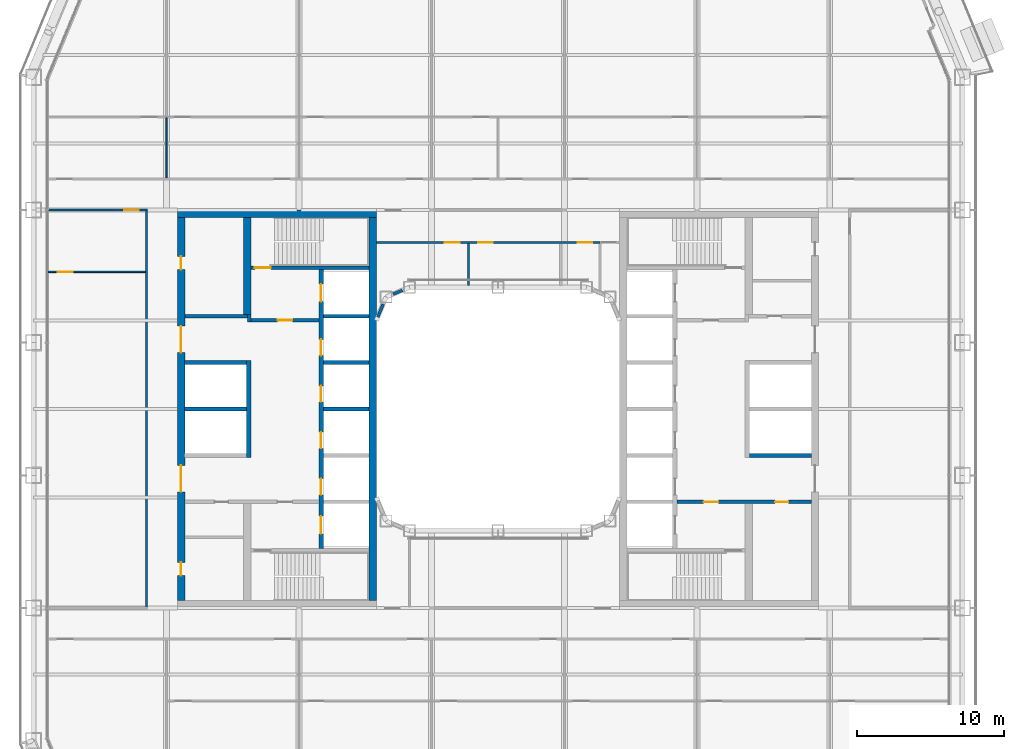
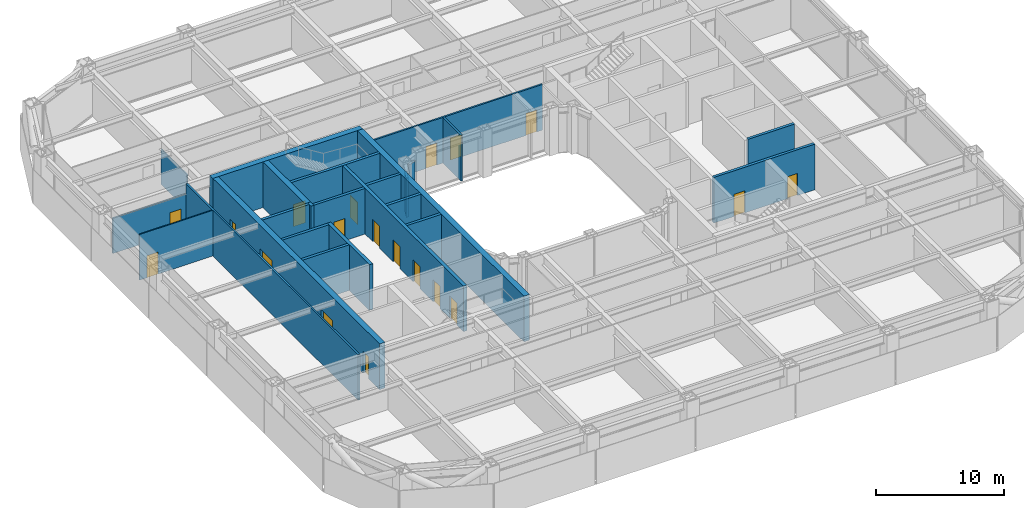
# One storey, part 14 of 30: 25 walls, 19 doors, 19 openings.
"""IFC4 building model written with IfcOpenShell, lengths in metres."""

from ifc_helpers import new_model, si_unit, direction, frame, frame_2d, origin, place, context, subcontext, project, spatial, rectangle, extrude, material, layer, layer_set, type_object, element, fill, save


model = new_model("IFC4")

# Units and contexts
model_context = context("Model", 3, precision=1e-05, world=origin(), true_north=direction((0.0, 1.0)))
body_context = subcontext(model_context, "Body", "Model", "MODEL_VIEW")
ifc_project = project(units=[si_unit("LENGTHUNIT", "METRE"), si_unit("AREAUNIT", "SQUARE_METRE"), si_unit("VOLUMEUNIT", "CUBIC_METRE"), si_unit("PLANEANGLEUNIT", "RADIAN"), si_unit("MASSUNIT", "GRAM", prefix="KILO")], contexts=[model_context])

# Site, building, storey
site_placement = place(None, origin())
site = spatial("IfcSite", under=ifc_project, at=site_placement, CompositionType="ELEMENT")
building_placement = place(site_placement, origin())
building = spatial("IfcBuilding", under=site, at=building_placement, Name="Siwar Civic Tower", CompositionType="ELEMENT")
storey_placement = place(building_placement, frame((0.0, 0.0, 26.699951171875)))
storey = spatial("IfcBuildingStorey", under=building, at=storey_placement, Name="L05", CompositionType="ELEMENT", Elevation=26.699951171875)

# Wall, opening, door
ifc_material_1 = material(Name="Concrete C60/75", Category="concrete")
ifc_layer_1 = layer(ifc_material_1, 0.25)
ifc_layer_set_1 = layer_set([ifc_layer_1], Name="Concrete C60/75")
wall_type_1 = type_object("IfcWallType", Name="CORE-WALL-RC250", PredefinedType="SHEAR", material=ifc_layer_set_1)
wall_1_placement = place(storey_placement, frame((-12.14990234375, 6.02490234375, 0.0), z_axis=(0.0, 0.0, 1.0), x_axis=(-1.0, 0.0, 0.0)))
wall_1 = element("IfcWall", 1, at=wall_1_placement, inside=storey, type_object=wall_type_1, Name="Core wall W", PredefinedType="SHEAR", context=body_context, shape_type="SweptSolid", body=[
    extrude(rectangle(XDim=4.60009765625, YDim=0.25, at=frame_2d((2.300048828125, 0.0))), origin(), (0.0, 0.0, 1.0), 4.35009765625),
])
opening_1_placement = place(wall_1_placement, frame((1.800048828125, 0.0, 0.0)))
opening_1 = element("IfcOpeningElement", 2, at=opening_1_placement, cuts=wall_1, Name="Opening L05-CW01", PredefinedType="OPENING", context=body_context, shape_type="SweptSolid", body=[
    extrude(rectangle(XDim=1.0, YDim=2.10009765625, at=frame_2d((0.5, 1.050048828125))), frame((0.0, 0.135009765625, 0.0), z_axis=(0.0, -1.0, 0.0), x_axis=(1.0, 0.0, 0.0)), (0.0, 0.0, 1.0), 0.27001953125),
])
ifc_material_2 = material(Name="Steel door leaf", Category="steel")
door_type_1 = type_object("IfcDoorType", Name="CORE-DOOR-FD30S", OperationType="SINGLE_SWING_LEFT", PredefinedType="DOOR", material=ifc_material_2)
door_1_placement = place(opening_1_placement, origin())
door_1 = element("IfcDoor", 3, at=door_1_placement, inside=storey, type_object=door_type_1, Name="Firefighting lobby door L05-CW01", OperationType="SINGLE_SWING_LEFT", OverallHeight=2.10009765625, OverallWidth=1.0, PredefinedType="DOOR", context=body_context, shape_type="SweptSolid", body=[
    extrude(rectangle(XDim=1.0, YDim=2.10009765625, at=frame_2d((0.5, 1.050048828125))), frame((0.0, 0.02490234375, 0.0), z_axis=(0.0, -1.0, 0.0), x_axis=(1.0, 0.0, 0.0)), (0.0, 0.0, 1.0), 0.050048828125),
])
fill(opening_1, door_1)

# Walls
wall_2_placement = place(storey_placement, frame((-16.875, 5.89990234375, 0.0), z_axis=(0.0, 0.0, 1.0), x_axis=(0.0, 1.0, 0.0)))
element("IfcWall", 4, at=wall_2_placement, inside=storey, type_object=wall_type_1, Name="Core wall W", PredefinedType="SHEAR", context=body_context, shape_type="SweptSolid", body=[
    extrude(rectangle(XDim=0.525146484375, YDim=0.25, at=frame_2d((0.2626953125, 0.0))), origin(), (0.0, 0.0, 1.0), 4.35009765625),
])
wall_3_placement = place(storey_placement, frame((-17.0, 6.300048828125, 0.0), z_axis=(0.0, 0.0, 1.0), x_axis=(-1.0, 0.0, 0.0)))
element("IfcWall", 5, at=wall_3_placement, inside=storey, type_object=wall_type_1, Name="Core wall W", PredefinedType="SHEAR", context=body_context, shape_type="SweptSolid", body=[
    extrude(rectangle(XDim=4.25, YDim=0.25, at=frame_2d((2.125, 0.0))), origin(), (0.0, 0.0, 1.0), 4.35009765625),
])
for number, where, z_axis, x_axis, name in (
    (6, (-17.050048828125, 0.0, 0.0), (0.0, 0.0, 1.0), (-1.0, 0.0, 0.0), "Core wall W"),
    (7, (-17.050048828125, 3.14990234375, 0.0), (0.0, 0.0, 1.0), (-1.0, 0.0, 0.0), "Core wall W"),
):
    element("IfcWall", number, at=place(storey_placement, frame(where, z_axis=z_axis, x_axis=x_axis)), inside=storey, type_object=wall_type_1, Name=name, PredefinedType="SHEAR", context=body_context, shape_type="SweptSolid", body=[
        extrude(rectangle(XDim=4.199951171875, YDim=0.25, at=frame_2d((2.10009765625, 0.0))), origin(), (0.0, 0.0, 1.0), 4.35009765625),
    ])
for number, where, z_axis, x_axis, name in (
    (8, (-8.75, 0.0, 0.0), (0.0, 0.0, 1.0), (-1.0, 0.0, 0.0), "Core wall W"),
    (9, (-8.75, 3.14990234375, 0.0), (0.0, 0.0, 1.0), (-1.0, 0.0, 0.0), "Core wall W"),
    (10, (-8.75, 6.300048828125, 0.0), (0.0, 0.0, 1.0), (-1.0, 0.0, 0.0), "Core wall W"),
):
    element("IfcWall", number, at=place(storey_placement, frame(where, z_axis=z_axis, x_axis=x_axis)), inside=storey, type_object=wall_type_1, Name=name, PredefinedType="SHEAR", context=body_context, shape_type="SweptSolid", body=[
        extrude(rectangle(XDim=3.10009765625, YDim=0.25, at=frame_2d((1.550048828125, 0.0))), origin(), (0.0, 0.0, 1.0), 4.35009765625),
    ])

# Wall, opening, door
wall_4_placement = place(storey_placement, frame((-8.75, 9.574951171875, 0.0), z_axis=(0.0, 0.0, 1.0), x_axis=(-1.0, 0.0, 0.0)))
wall_4 = element("IfcWall", 11, at=wall_4_placement, inside=storey, type_object=wall_type_1, Name="Core wall W", PredefinedType="SHEAR", context=body_context, shape_type="SweptSolid", body=[
    extrude(rectangle(XDim=8.0, YDim=0.25, at=frame_2d((4.0, 0.0))), origin(), (0.0, 0.0, 1.0), 4.35009765625),
])
opening_2_placement = place(wall_4_placement, frame((6.64990234375, 0.0, 0.0)))
opening_2 = element("IfcOpeningElement", 12, at=opening_2_placement, cuts=wall_4, Name="Opening L05-CW03", PredefinedType="OPENING", context=body_context, shape_type="SweptSolid", body=[
    extrude(rectangle(XDim=1.10009765625, YDim=2.10009765625, at=frame_2d((0.550048828125, 1.050048828125))), frame((0.0, 0.135009765625, 0.0), z_axis=(0.0, -1.0, 0.0), x_axis=(1.0, 0.0, 0.0)), (0.0, 0.0, 1.0), 0.27001953125),
])
ifc_material_3 = material(Name="Steel door leaf", Category="steel")
door_type_2 = type_object("IfcDoorType", Name="CORE-DOOR-FD60S", OperationType="SINGLE_SWING_LEFT", PredefinedType="DOOR", material=ifc_material_3)
door_2_placement = place(opening_2_placement, origin())
door_2 = element("IfcDoor", 13, at=door_2_placement, inside=storey, type_object=door_type_2, Name="Stair door L05-CW03", OperationType="SINGLE_SWING_RIGHT", OverallHeight=2.10009765625, OverallWidth=1.10009765625, PredefinedType="DOOR", context=body_context, shape_type="SweptSolid", body=[
    extrude(rectangle(XDim=1.10009765625, YDim=2.10009765625, at=frame_2d((0.550048828125, 1.050048828125))), frame((0.0, 0.02490234375, 0.0), z_axis=(0.0, -1.0, 0.0), x_axis=(1.0, 0.0, 0.0)), (0.0, 0.0, 1.0), 0.050048828125),
])
fill(opening_2, door_2)

# Wall, openings, doors
wall_5_placement = place(storey_placement, frame((12.14990234375, -6.300048828125, 0.0), z_axis=(0.0, 0.0, 1.0), x_axis=(1.0, 0.0, 0.0)))
wall_5 = element("IfcWall", 14, at=wall_5_placement, inside=storey, type_object=wall_type_1, Name="Core wall E", PredefinedType="SHEAR", context=body_context, shape_type="SweptSolid", body=[
    extrude(rectangle(XDim=9.10009765625, YDim=0.25, at=frame_2d((4.550048828125, 0.0))), origin(), (0.0, 0.0, 1.0), 4.35009765625),
])
opening_3_placement = place(wall_5_placement, frame((1.800048828125, 0.0, 0.0)))
opening_3 = element("IfcOpeningElement", 15, at=opening_3_placement, cuts=wall_5, Name="Opening L05-CE02", PredefinedType="OPENING", context=body_context, shape_type="SweptSolid", body=[
    extrude(rectangle(XDim=1.0, YDim=2.10009765625, at=frame_2d((0.5, 1.050048828125))), frame((0.0, 0.135009765625, 0.0), z_axis=(0.0, -1.0, 0.0), x_axis=(1.0, 0.0, 0.0)), (0.0, 0.0, 1.0), 0.27001953125),
])
opening_4_placement = place(wall_5_placement, frame((6.64990234375, 0.0, 0.0)))
opening_4 = element("IfcOpeningElement", 16, at=opening_4_placement, cuts=wall_5, Name="Opening L05-CE15", PredefinedType="OPENING", context=body_context, shape_type="SweptSolid", body=[
    extrude(rectangle(XDim=0.89990234375, YDim=2.10009765625, at=frame_2d((0.449951171875, 1.050048828125))), frame((0.0, 0.135009765625, 0.0), z_axis=(0.0, -1.0, 0.0), x_axis=(1.0, 0.0, 0.0)), (0.0, 0.0, 1.0), 0.27001953125),
])
door_3_placement = place(opening_3_placement, origin())
door_3 = element("IfcDoor", 17, at=door_3_placement, inside=storey, type_object=door_type_1, Name="Service lobby door L05-CE02", OperationType="SINGLE_SWING_LEFT", OverallHeight=2.10009765625, OverallWidth=1.0, PredefinedType="DOOR", context=body_context, shape_type="SweptSolid", body=[
    extrude(rectangle(XDim=1.0, YDim=2.10009765625, at=frame_2d((0.5, 1.050048828125))), frame((0.0, 0.02490234375, 0.0), z_axis=(0.0, -1.0, 0.0), x_axis=(1.0, 0.0, 0.0)), (0.0, 0.0, 1.0), 0.050048828125),
])
fill(opening_3, door_3)
ifc_material_4 = material(Name="Steel door leaf", Category="steel")
door_type_3 = type_object("IfcDoorType", Name="CORE-DOOR-ROOM", OperationType="SINGLE_SWING_LEFT", PredefinedType="DOOR", material=ifc_material_4)
door_4_placement = place(opening_4_placement, origin())
door_4 = element("IfcDoor", 18, at=door_4_placement, inside=storey, type_object=door_type_3, Name="Core room door L05-CE15", OperationType="SINGLE_SWING_LEFT", OverallHeight=2.10009765625, OverallWidth=0.89990234375, PredefinedType="DOOR", context=body_context, shape_type="SweptSolid", body=[
    extrude(rectangle(XDim=0.89990234375, YDim=2.10009765625, at=frame_2d((0.449951171875, 1.050048828125))), frame((0.0, 0.02490234375, 0.0), z_axis=(0.0, -1.0, 0.0), x_axis=(1.0, 0.0, 0.0)), (0.0, 0.0, 1.0), 0.050048828125),
])
fill(opening_4, door_4)

# Wall
wall_6_placement = place(storey_placement, frame((17.050048828125, -3.14990234375, 0.0), z_axis=(0.0, 0.0, 1.0), x_axis=(1.0, 0.0, 0.0)))
element("IfcWall", 19, at=wall_6_placement, inside=storey, type_object=wall_type_1, Name="Core wall E", PredefinedType="SHEAR", context=body_context, shape_type="SweptSolid", body=[
    extrude(rectangle(XDim=4.199951171875, YDim=0.25, at=frame_2d((2.10009765625, 0.0))), origin(), (0.0, 0.0, 1.0), 4.35009765625),
])

# Wall, openings, doors
ifc_material_5 = material(Name="Concrete C60/75", Category="concrete")
ifc_layer_2 = layer(ifc_material_5, 0.300048828125)
ifc_layer_set_2 = layer_set([ifc_layer_2], Name="Concrete C60/75")
wall_type_2 = type_object("IfcWallType", Name="CORE-WALL-RC300", PredefinedType="SHEAR", material=ifc_layer_set_2)
wall_7_placement = place(storey_placement, frame((-12.0, -9.449951171875, 0.0), z_axis=(0.0, 0.0, 1.0), x_axis=(0.0, 1.0, 0.0)))
wall_7 = element("IfcWall", 20, at=wall_7_placement, inside=storey, type_object=wall_type_2, Name="Core wall W", PredefinedType="SHEAR", context=body_context, shape_type="SweptSolid", body=[
    extrude(rectangle(XDim=18.89990234375, YDim=0.300048828125, at=frame_2d((9.449951171875, 0.0))), origin(), (0.0, 0.0, 1.0), 4.35009765625),
])
opening_5_placement = place(wall_7_placement, frame((3.625, 0.0, 0.0)))
opening_5 = element("IfcOpeningElement", 21, at=opening_5_placement, cuts=wall_7, Name="Opening L05-CW07", PredefinedType="OPENING", context=body_context, shape_type="SweptSolid", body=[
    extrude(rectangle(XDim=1.10009765625, YDim=2.10009765625, at=frame_2d((0.550048828125, 1.050048828125))), frame((0.0, 0.16015625, 0.0), z_axis=(0.0, -1.0, 0.0), x_axis=(1.0, 0.0, 0.0)), (0.0, 0.0, 1.0), 0.320068359375),
])
opening_6_placement = place(wall_7_placement, frame((6.77490234375, 0.0, 0.0)))
opening_6 = element("IfcOpeningElement", 22, at=opening_6_placement, cuts=wall_7, Name="Opening L05-CW08", PredefinedType="OPENING", context=body_context, shape_type="SweptSolid", body=[
    extrude(rectangle(XDim=1.10009765625, YDim=2.10009765625, at=frame_2d((0.550048828125, 1.050048828125))), frame((0.0, 0.16015625, 0.0), z_axis=(0.0, -1.0, 0.0), x_axis=(1.0, 0.0, 0.0)), (0.0, 0.0, 1.0), 0.320068359375),
])
opening_7_placement = place(wall_7_placement, frame((9.925048828125, 0.0, 0.0)))
opening_7 = element("IfcOpeningElement", 23, at=opening_7_placement, cuts=wall_7, Name="Opening L05-CW09", PredefinedType="OPENING", context=body_context, shape_type="SweptSolid", body=[
    extrude(rectangle(XDim=1.10009765625, YDim=2.10009765625, at=frame_2d((0.550048828125, 1.050048828125))), frame((0.0, 0.16015625, 0.0), z_axis=(0.0, -1.0, 0.0), x_axis=(1.0, 0.0, 0.0)), (0.0, 0.0, 1.0), 0.320068359375),
])
opening_8_placement = place(wall_7_placement, frame((13.074951171875, 0.0, 0.0)))
opening_8 = element("IfcOpeningElement", 24, at=opening_8_placement, cuts=wall_7, Name="Opening L05-CW10", PredefinedType="OPENING", context=body_context, shape_type="SweptSolid", body=[
    extrude(rectangle(XDim=1.10009765625, YDim=2.10009765625, at=frame_2d((0.550048828125, 1.050048828125))), frame((0.0, 0.16015625, 0.0), z_axis=(0.0, -1.0, 0.0), x_axis=(1.0, 0.0, 0.0)), (0.0, 0.0, 1.0), 0.320068359375),
])
opening_9_placement = place(wall_7_placement, frame((16.72509765625, 0.0, 0.0)))
opening_9 = element("IfcOpeningElement", 25, at=opening_9_placement, cuts=wall_7, Name="Opening L05-CW11", PredefinedType="OPENING", context=body_context, shape_type="SweptSolid", body=[
    extrude(rectangle(XDim=1.199951171875, YDim=2.10009765625, at=frame_2d((0.60009765625, 1.050048828125))), frame((0.0, 0.16015625, 0.0), z_axis=(0.0, -1.0, 0.0), x_axis=(1.0, 0.0, 0.0)), (0.0, 0.0, 1.0), 0.320068359375),
])
opening_10_placement = place(wall_7_placement, frame((0.97509765625, 0.0, 0.0)))
opening_10 = element("IfcOpeningElement", 26, at=opening_10_placement, cuts=wall_7, Name="Opening L05-CW12", PredefinedType="OPENING", context=body_context, shape_type="SweptSolid", body=[
    extrude(rectangle(XDim=1.199951171875, YDim=2.10009765625, at=frame_2d((0.60009765625, 1.050048828125))), frame((0.0, 0.16015625, 0.0), z_axis=(0.0, -1.0, 0.0), x_axis=(1.0, 0.0, 0.0)), (0.0, 0.0, 1.0), 0.320068359375),
])
ifc_material_6 = material(Name="Steel door leaf", Category="steel")
door_type_4 = type_object("IfcDoorType", Name="CORE-DOOR-LD", OperationType="DOUBLE_DOOR_SLIDING", PredefinedType="DOOR", material=ifc_material_6)
door_5_placement = place(opening_5_placement, origin())
door_5 = element("IfcDoor", 27, at=door_5_placement, inside=storey, type_object=door_type_4, Name="Landing door LR1 L05-CW07", OperationType="DOUBLE_DOOR_SLIDING", OverallHeight=2.10009765625, OverallWidth=1.10009765625, PredefinedType="DOOR", context=body_context, shape_type="SweptSolid", body=[
    extrude(rectangle(XDim=1.10009765625, YDim=2.10009765625, at=frame_2d((0.550048828125, 1.050048828125))), frame((0.0, 0.02490234375, 0.0), z_axis=(0.0, -1.0, 0.0), x_axis=(1.0, 0.0, 0.0)), (0.0, 0.0, 1.0), 0.050048828125),
])
fill(opening_5, door_5)
door_6_placement = place(opening_6_placement, origin())
door_6 = element("IfcDoor", 28, at=door_6_placement, inside=storey, type_object=door_type_4, Name="Landing door LR2 L05-CW08", OperationType="DOUBLE_DOOR_SLIDING", OverallHeight=2.10009765625, OverallWidth=1.10009765625, PredefinedType="DOOR", context=body_context, shape_type="SweptSolid", body=[
    extrude(rectangle(XDim=1.10009765625, YDim=2.10009765625, at=frame_2d((0.550048828125, 1.050048828125))), frame((0.0, 0.02490234375, 0.0), z_axis=(0.0, -1.0, 0.0), x_axis=(1.0, 0.0, 0.0)), (0.0, 0.0, 1.0), 0.050048828125),
])
fill(opening_6, door_6)
door_7_placement = place(opening_7_placement, origin())
door_7 = element("IfcDoor", 29, at=door_7_placement, inside=storey, type_object=door_type_4, Name="Landing door LR3 L05-CW09", OperationType="DOUBLE_DOOR_SLIDING", OverallHeight=2.10009765625, OverallWidth=1.10009765625, PredefinedType="DOOR", context=body_context, shape_type="SweptSolid", body=[
    extrude(rectangle(XDim=1.10009765625, YDim=2.10009765625, at=frame_2d((0.550048828125, 1.050048828125))), frame((0.0, 0.02490234375, 0.0), z_axis=(0.0, -1.0, 0.0), x_axis=(1.0, 0.0, 0.0)), (0.0, 0.0, 1.0), 0.050048828125),
])
fill(opening_7, door_7)
door_8_placement = place(opening_8_placement, origin())
door_8 = element("IfcDoor", 30, at=door_8_placement, inside=storey, type_object=door_type_4, Name="Landing door LR4 L05-CW10", OperationType="DOUBLE_DOOR_SLIDING", OverallHeight=2.10009765625, OverallWidth=1.10009765625, PredefinedType="DOOR", context=body_context, shape_type="SweptSolid", body=[
    extrude(rectangle(XDim=1.10009765625, YDim=2.10009765625, at=frame_2d((0.550048828125, 1.050048828125))), frame((0.0, 0.02490234375, 0.0), z_axis=(0.0, -1.0, 0.0), x_axis=(1.0, 0.0, 0.0)), (0.0, 0.0, 1.0), 0.050048828125),
])
fill(opening_8, door_8)
ifc_material_7 = material(Name="Steel door leaf", Category="steel")
door_type_5 = type_object("IfcDoorType", Name="CORE-DOOR-LDW", OperationType="DOUBLE_DOOR_SLIDING", PredefinedType="DOOR", material=ifc_material_7)
door_9_placement = place(opening_9_placement, origin())
door_9 = element("IfcDoor", 31, at=door_9_placement, inside=storey, type_object=door_type_5, Name="Landing door FF1 L05-CW11", OperationType="DOUBLE_DOOR_SLIDING", OverallHeight=2.10009765625, OverallWidth=1.199951171875, PredefinedType="DOOR", context=body_context, shape_type="SweptSolid", body=[
    extrude(rectangle(XDim=1.199951171875, YDim=2.10009765625, at=frame_2d((0.60009765625, 1.050048828125))), frame((0.0, 0.02490234375, 0.0), z_axis=(0.0, -1.0, 0.0), x_axis=(1.0, 0.0, 0.0)), (0.0, 0.0, 1.0), 0.050048828125),
])
fill(opening_9, door_9)
door_10_placement = place(opening_10_placement, origin())
door_10 = element("IfcDoor", 32, at=door_10_placement, inside=storey, type_object=door_type_5, Name="Landing door SV1 L05-CW12", OperationType="DOUBLE_DOOR_SLIDING", OverallHeight=2.10009765625, OverallWidth=1.199951171875, PredefinedType="DOOR", context=body_context, shape_type="SweptSolid", body=[
    extrude(rectangle(XDim=1.199951171875, YDim=2.10009765625, at=frame_2d((0.60009765625, 1.050048828125))), frame((0.0, 0.02490234375, 0.0), z_axis=(0.0, -1.0, 0.0), x_axis=(1.0, 0.0, 0.0)), (0.0, 0.0, 1.0), 0.050048828125),
])
fill(opening_10, door_10)

# Wall
wall_8_placement = place(storey_placement, frame((-16.89990234375, -3.27490234375, 0.0), z_axis=(0.0, 0.0, 1.0), x_axis=(0.0, 1.0, 0.0)))
element("IfcWall", 33, at=wall_8_placement, inside=storey, type_object=wall_type_2, Name="Core wall W", PredefinedType="SHEAR", context=body_context, shape_type="SweptSolid", body=[
    extrude(rectangle(XDim=6.5498046875, YDim=0.300048828125, at=frame_2d((3.27490234375, 0.0))), origin(), (0.0, 0.0, 1.0), 4.35009765625),
])

# Wall, openings, doors
ifc_material_8 = material(Name="Concrete C60/75", Category="concrete")
ifc_layer_3 = layer(ifc_material_8, 0.5)
ifc_layer_set_3 = layer_set([ifc_layer_3], Name="Concrete C60/75")
wall_type_3 = type_object("IfcWallType", Name="CORE-WALL-RC500", PredefinedType="SHEAR", material=ifc_layer_set_3)
wall_9_placement = place(storey_placement, frame((-21.5, -13.0, 0.0), z_axis=(0.0, 0.0, 1.0), x_axis=(0.0, 1.0, 0.0)))
wall_9 = element("IfcWall", 34, at=wall_9_placement, inside=storey, type_object=wall_type_3, Name="Core wall W", PredefinedType="SHEAR", context=body_context, shape_type="SweptSolid", body=[
    extrude(rectangle(XDim=26.0, YDim=0.5, at=frame_2d((13.0, 0.0))), origin(), (0.0, 0.0, 1.0), 4.35009765625),
])
opening_11_placement = place(wall_9_placement, frame((16.824951171875, 0.0, 0.0)))
opening_11 = element("IfcOpeningElement", 35, at=opening_11_placement, cuts=wall_9, Name="Opening L05-CW05", PredefinedType="OPENING", context=body_context, shape_type="SweptSolid", body=[
    extrude(rectangle(XDim=1.800048828125, YDim=2.10009765625, at=frame_2d((0.89990234375, 1.050048828125))), frame((0.0, 0.260009765625, 0.0), z_axis=(0.0, -1.0, 0.0), x_axis=(1.0, 0.0, 0.0)), (0.0, 0.0, 1.0), 0.52001953125),
])
opening_12_placement = place(wall_9_placement, frame((7.375, 0.0, 0.0)))
opening_12 = element("IfcOpeningElement", 36, at=opening_12_placement, cuts=wall_9, Name="Opening L05-CW06", PredefinedType="OPENING", context=body_context, shape_type="SweptSolid", body=[
    extrude(rectangle(XDim=1.800048828125, YDim=2.10009765625, at=frame_2d((0.89990234375, 1.050048828125))), frame((0.0, 0.260009765625, 0.0), z_axis=(0.0, -1.0, 0.0), x_axis=(1.0, 0.0, 0.0)), (0.0, 0.0, 1.0), 0.52001953125),
])
opening_13_placement = place(wall_9_placement, frame((22.449951171875, 0.0, 0.0)))
opening_13 = element("IfcOpeningElement", 37, at=opening_13_placement, cuts=wall_9, Name="Opening L05-CW13", PredefinedType="OPENING", context=body_context, shape_type="SweptSolid", body=[
    extrude(rectangle(XDim=0.89990234375, YDim=2.10009765625, at=frame_2d((0.449951171875, 1.050048828125))), frame((0.0, 0.260009765625, 0.0), z_axis=(0.0, -1.0, 0.0), x_axis=(1.0, 0.0, 0.0)), (0.0, 0.0, 1.0), 0.52001953125),
])
opening_14_placement = place(wall_9_placement, frame((1.699951171875, 0.0, 0.0)))
opening_14 = element("IfcOpeningElement", 38, at=opening_14_placement, cuts=wall_9, Name="Opening L05-CW15", PredefinedType="OPENING", context=body_context, shape_type="SweptSolid", body=[
    extrude(rectangle(XDim=0.89990234375, YDim=2.10009765625, at=frame_2d((0.449951171875, 1.050048828125))), frame((0.0, 0.260009765625, 0.0), z_axis=(0.0, -1.0, 0.0), x_axis=(1.0, 0.0, 0.0)), (0.0, 0.0, 1.0), 0.52001953125),
])
ifc_material_9 = material(Name="Steel door leaf", Category="steel")
door_type_6 = type_object("IfcDoorType", Name="CORE-DOOR-PORT", OperationType="DOUBLE_DOOR_DOUBLE_SWING", PredefinedType="DOOR", material=ifc_material_9)
door_11_placement = place(opening_11_placement, origin())
door_11 = element("IfcDoor", 39, at=door_11_placement, inside=storey, type_object=door_type_6, Name="Core entrance door L05-CW05", OperationType="DOUBLE_DOOR_DOUBLE_SWING", OverallHeight=2.10009765625, OverallWidth=1.800048828125, PredefinedType="DOOR", context=body_context, shape_type="SweptSolid", body=[
    extrude(rectangle(XDim=1.800048828125, YDim=2.10009765625, at=frame_2d((0.89990234375, 1.050048828125))), frame((0.0, 0.02490234375, 0.0), z_axis=(0.0, -1.0, 0.0), x_axis=(1.0, 0.0, 0.0)), (0.0, 0.0, 1.0), 0.050048828125),
])
fill(opening_11, door_11)
door_12_placement = place(opening_12_placement, origin())
door_12 = element("IfcDoor", 40, at=door_12_placement, inside=storey, type_object=door_type_6, Name="Core entrance door L05-CW06", OperationType="DOUBLE_DOOR_DOUBLE_SWING", OverallHeight=2.10009765625, OverallWidth=1.800048828125, PredefinedType="DOOR", context=body_context, shape_type="SweptSolid", body=[
    extrude(rectangle(XDim=1.800048828125, YDim=2.10009765625, at=frame_2d((0.89990234375, 1.050048828125))), frame((0.0, 0.02490234375, 0.0), z_axis=(0.0, -1.0, 0.0), x_axis=(1.0, 0.0, 0.0)), (0.0, 0.0, 1.0), 0.050048828125),
])
fill(opening_12, door_12)
door_13_placement = place(opening_13_placement, origin())
door_13 = element("IfcDoor", 41, at=door_13_placement, inside=storey, type_object=door_type_3, Name="Core room door L05-CW13", OperationType="SINGLE_SWING_RIGHT", OverallHeight=2.10009765625, OverallWidth=0.89990234375, PredefinedType="DOOR", context=body_context, shape_type="SweptSolid", body=[
    extrude(rectangle(XDim=0.89990234375, YDim=2.10009765625, at=frame_2d((0.449951171875, 1.050048828125))), frame((0.0, 0.02490234375, 0.0), z_axis=(0.0, -1.0, 0.0), x_axis=(1.0, 0.0, 0.0)), (0.0, 0.0, 1.0), 0.050048828125),
])
fill(opening_13, door_13)
door_14_placement = place(opening_14_placement, origin())
door_14 = element("IfcDoor", 42, at=door_14_placement, inside=storey, type_object=door_type_3, Name="Core room door L05-CW15", OperationType="SINGLE_SWING_RIGHT", OverallHeight=2.10009765625, OverallWidth=0.89990234375, PredefinedType="DOOR", context=body_context, shape_type="SweptSolid", body=[
    extrude(rectangle(XDim=0.89990234375, YDim=2.10009765625, at=frame_2d((0.449951171875, 1.050048828125))), frame((0.0, 0.02490234375, 0.0), z_axis=(0.0, -1.0, 0.0), x_axis=(1.0, 0.0, 0.0)), (0.0, 0.0, 1.0), 0.050048828125),
])
fill(opening_14, door_14)

# Walls
wall_10_placement = place(storey_placement, frame((-17.0, 6.425048828125, 0.0), z_axis=(0.0, 0.0, 1.0), x_axis=(0.0, 1.0, 0.0)))
element("IfcWall", 43, at=wall_10_placement, inside=storey, type_object=wall_type_3, Name="Core wall W", PredefinedType="SHEAR", context=body_context, shape_type="SweptSolid", body=[
    extrude(rectangle(XDim=6.574951171875, YDim=0.5, at=frame_2d((3.28759765625, 0.0))), origin(), (0.0, 0.0, 1.0), 4.35009765625),
])
wall_11_placement = place(storey_placement, frame((-8.25, 13.25, 0.0), z_axis=(0.0, 0.0, 1.0), x_axis=(-1.0, 0.0, 0.0)))
element("IfcWall", 44, at=wall_11_placement, inside=storey, type_object=wall_type_3, Name="Core wall W", PredefinedType="SHEAR", context=body_context, shape_type="SweptSolid", body=[
    extrude(rectangle(XDim=13.5, YDim=0.5, at=frame_2d((6.75, 0.0))), origin(), (0.0, 0.0, 1.0), 4.35009765625),
])
ifc_material_10 = material(Name="Concrete C60/75", Category="concrete")
ifc_layer_4 = layer(ifc_material_10, 0.5)
ifc_layer_set_4 = layer_set([ifc_layer_4], Name="Concrete C60/75")
wall_type_4 = type_object("IfcWallType", Name="CORE-WALL-RC500-EXT", PredefinedType="SHEAR", material=ifc_layer_set_4)
wall_12_placement = place(storey_placement, frame((-8.5, -13.0, 0.0), z_axis=(0.0, 0.0, 1.0), x_axis=(0.0, 1.0, 0.0)))
element("IfcWall", 45, at=wall_12_placement, inside=storey, type_object=wall_type_4, Name="Core wall W", PredefinedType="SHEAR", context=body_context, shape_type="SweptSolid", body=[
    extrude(rectangle(XDim=26.0, YDim=0.5, at=frame_2d((13.0, 0.0))), origin(), (0.0, 0.0, 1.0), 4.35009765625),
])

# Wall, openings, doors
ifc_material_11 = material(Name="Gypsum board on steel studs", Category="steel")
ifc_layer_5 = layer(ifc_material_11, 0.14990234375)
ifc_layer_set_5 = layer_set([ifc_layer_5], Name="Gypsum board on steel studs")
wall_type_5 = type_object("IfcWallType", Name="CORRIDOR PARTITION 150 EI 30", PredefinedType="PARTITIONING", material=ifc_layer_set_5)
wall_13_placement = place(storey_placement, frame((-8.25, 11.300048828125, 0.0), z_axis=(0.0, 0.0, 1.0), x_axis=(1.0, 0.0, 0.0)))
wall_13 = element("IfcWall", 46, at=wall_13_placement, inside=storey, type_object=wall_type_5, Name="L05/wall/P07", PredefinedType="PARTITIONING", context=body_context, shape_type="SweptSolid", body=[
    extrude(rectangle(XDim=15.169921875, YDim=0.14990234375, at=frame_2d((7.5849609375, 0.0))), origin(), (0.0, 0.0, 1.0), 4.35009765625),
])
opening_15_placement = place(wall_13_placement, frame((4.64990234375, 0.0, 0.0)))
opening_15 = element("IfcOpeningElement", 47, at=opening_15_placement, cuts=wall_13, Name="Opening D3", PredefinedType="OPENING", context=body_context, shape_type="SweptSolid", body=[
    extrude(rectangle(XDim=1.0, YDim=2.10009765625, at=frame_2d((0.5, 1.050048828125))), frame((0.0, 0.0849609375, 0.0), z_axis=(0.0, -1.0, 0.0), x_axis=(1.0, 0.0, 0.0)), (0.0, 0.0, 1.0), 0.169921875),
])
opening_16_placement = place(wall_13_placement, frame((6.89990234375, 0.0, 0.0)))
opening_16 = element("IfcOpeningElement", 48, at=opening_16_placement, cuts=wall_13, Name="Opening D3", PredefinedType="OPENING", context=body_context, shape_type="SweptSolid", body=[
    extrude(rectangle(XDim=1.0, YDim=2.10009765625, at=frame_2d((0.5, 1.050048828125))), frame((0.0, 0.0849609375, 0.0), z_axis=(0.0, -1.0, 0.0), x_axis=(1.0, 0.0, 0.0)), (0.0, 0.0, 1.0), 0.169921875),
])
opening_17_placement = place(wall_13_placement, frame((13.64990234375, 0.0, 0.0)))
opening_17 = element("IfcOpeningElement", 49, at=opening_17_placement, cuts=wall_13, Name="Opening D3", PredefinedType="OPENING", context=body_context, shape_type="SweptSolid", body=[
    extrude(rectangle(XDim=1.0, YDim=2.10009765625, at=frame_2d((0.5, 1.050048828125))), frame((0.0, 0.0849609375, 0.0), z_axis=(0.0, -1.0, 0.0), x_axis=(1.0, 0.0, 0.0)), (0.0, 0.0, 1.0), 0.169921875),
])
ifc_material_12 = material(Name="Timber, painted", Category="wood")
door_type_7 = type_object("IfcDoorType", Name="DOOR 1000 X 2100 WC", OperationType="SINGLE_SWING_LEFT", PredefinedType="DOOR", material=ifc_material_12)
door_15_placement = place(opening_15_placement, origin())
door_15 = element("IfcDoor", 50, at=door_15_placement, inside=storey, type_object=door_type_7, Name="L05-D32", OperationType="SINGLE_SWING_RIGHT", OverallHeight=2.10009765625, OverallWidth=1.0, PredefinedType="DOOR", context=body_context, shape_type="SweptSolid", body=[
    extrude(rectangle(XDim=1.0, YDim=2.10009765625, at=frame_2d((0.5, 1.050048828125))), frame((0.0, 0.02490234375, 0.0), z_axis=(0.0, -1.0, 0.0), x_axis=(1.0, 0.0, 0.0)), (0.0, 0.0, 1.0), 0.050048828125),
])
fill(opening_15, door_15)
door_16_placement = place(opening_16_placement, origin())
door_16 = element("IfcDoor", 51, at=door_16_placement, inside=storey, type_object=door_type_7, Name="L05-D33", OperationType="SINGLE_SWING_LEFT", OverallHeight=2.10009765625, OverallWidth=1.0, PredefinedType="DOOR", context=body_context, shape_type="SweptSolid", body=[
    extrude(rectangle(XDim=1.0, YDim=2.10009765625, at=frame_2d((0.5, 1.050048828125))), frame((0.0, 0.02490234375, 0.0), z_axis=(0.0, -1.0, 0.0), x_axis=(1.0, 0.0, 0.0)), (0.0, 0.0, 1.0), 0.050048828125),
])
fill(opening_16, door_16)
door_17_placement = place(opening_17_placement, origin())
door_17 = element("IfcDoor", 52, at=door_17_placement, inside=storey, type_object=door_type_7, Name="L05-D34", OperationType="SINGLE_SWING_RIGHT", OverallHeight=2.10009765625, OverallWidth=1.0, PredefinedType="DOOR", context=body_context, shape_type="SweptSolid", body=[
    extrude(rectangle(XDim=1.0, YDim=2.10009765625, at=frame_2d((0.5, 1.050048828125))), frame((0.0, 0.02490234375, 0.0), z_axis=(0.0, -1.0, 0.0), x_axis=(1.0, 0.0, 0.0)), (0.0, 0.0, 1.0), 0.050048828125),
])
fill(opening_17, door_17)

# Wall, opening, door
wall_14_placement = place(storey_placement, frame((-30.510009765625, 13.5, 0.0), z_axis=(0.0, 0.0, 1.0), x_axis=(1.0, 0.0, 0.0)))
wall_14 = element("IfcWall", 53, at=wall_14_placement, inside=storey, type_object=wall_type_5, Name="L05/wall/P09", PredefinedType="PARTITIONING", context=body_context, shape_type="SweptSolid", body=[
    extrude(rectangle(XDim=6.735107421875, YDim=0.14990234375, at=frame_2d((3.36767578125, 0.0))), origin(), (0.0, 0.0, 1.0), 3.35009765625),
])
opening_18_placement = place(wall_14_placement, frame((5.14990234375, 0.0, 0.0)))
opening_18 = element("IfcOpeningElement", 54, at=opening_18_placement, cuts=wall_14, Name="Opening D1", PredefinedType="OPENING", context=body_context, shape_type="SweptSolid", body=[
    extrude(rectangle(XDim=1.0, YDim=2.10009765625, at=frame_2d((0.5, 1.050048828125))), frame((0.0, 0.0849609375, 0.0), z_axis=(0.0, -1.0, 0.0), x_axis=(1.0, 0.0, 0.0)), (0.0, 0.0, 1.0), 0.169921875),
])
ifc_material_13 = material(Name="Timber, painted", Category="wood")
door_type_8 = type_object("IfcDoorType", Name="DOOR 1000 X 2100 FD30", OperationType="SINGLE_SWING_LEFT", PredefinedType="DOOR", material=ifc_material_13)
door_18_placement = place(opening_18_placement, origin())
door_18 = element("IfcDoor", 55, at=door_18_placement, inside=storey, type_object=door_type_8, Name="L05-D28", OperationType="SINGLE_SWING_RIGHT", OverallHeight=2.10009765625, OverallWidth=1.0, PredefinedType="DOOR", context=body_context, shape_type="SweptSolid", body=[
    extrude(rectangle(XDim=1.0, YDim=2.10009765625, at=frame_2d((0.5, 1.050048828125))), frame((0.0, 0.02490234375, 0.0), z_axis=(0.0, -1.0, 0.0), x_axis=(1.0, 0.0, 0.0)), (0.0, 0.0, 1.0), 0.050048828125),
])
fill(opening_18, door_18)

# Walls
wall_15_placement = place(storey_placement, frame((-23.85009765625, -13.425048828125, 0.0), z_axis=(0.0, 0.0, 1.0), x_axis=(0.0, 1.0, 0.0)))
element("IfcWall", 56, at=wall_15_placement, inside=storey, type_object=wall_type_5, Name="L05/wall/P14", PredefinedType="PARTITIONING", context=body_context, shape_type="SweptSolid", body=[
    extrude(rectangle(XDim=26.85009765625, YDim=0.14990234375, at=frame_2d((13.425048828125, 0.0))), origin(), (0.0, 0.0, 1.0), 4.35009765625),
])
wall_16_placement = place(storey_placement, frame((-2.0, 8.3701171875, 0.0), z_axis=(0.0, 0.0, 1.0), x_axis=(0.0, 1.0, 0.0)))
element("IfcWall", 57, at=wall_16_placement, inside=storey, type_object=wall_type_5, Name="L05/wall/P27", PredefinedType="PARTITIONING", context=body_context, shape_type="SweptSolid", body=[
    extrude(rectangle(XDim=2.85498046875, YDim=0.14990234375, at=frame_2d((1.427490234375, 0.0))), origin(), (0.0, 0.0, 1.0), 4.35009765625),
])
ifc_material_14 = material(Name="Aluminium clad insulated panel", Category="aluminium")
ifc_layer_6 = layer(ifc_material_14, 0.199951171875)
ifc_layer_set_6 = layer_set([ifc_layer_6], Name="Aluminium clad insulated panel")
wall_type_6 = type_object("IfcWallType", Name="ENV-WALL-WELL", PredefinedType="STANDARD", material=ifc_layer_set_6)
wall_17_placement = place(storey_placement, frame((-6.48291015625, 8.050048828125, 0.0), z_axis=(0.0, 0.0, 1.0), x_axis=(-0.923854141361, -0.382744726273, 0.0)))
element("IfcWall", 58, at=wall_17_placement, inside=storey, type_object=wall_type_6, Name="Light well corner wall NW1", PredefinedType="STANDARD", context=body_context, shape_type="SweptSolid", body=[
    extrude(rectangle(XDim=0.6767578125, YDim=0.199951171875, at=frame_2d((0.33837890625, 0.0))), origin(), (0.0, 0.0, 1.0), 3.72998046875),
])
wall_18_placement = place(storey_placement, frame((-7.791015625, 7.108154296875, 0.0), z_axis=(0.0, 0.0, 1.0), x_axis=(-0.382624318388, -0.923904016107, 0.0)))
element("IfcWall", 59, at=wall_18_placement, inside=storey, type_object=wall_type_6, Name="Light well corner wall NW2", PredefinedType="STANDARD", context=body_context, shape_type="SweptSolid", body=[
    extrude(rectangle(XDim=0.949462890625, YDim=0.199951171875, at=frame_2d((0.474609375, 0.0))), origin(), (0.0, 0.0, 1.0), 3.72998046875),
])

# Wall, opening, door
ifc_material_15 = material(Name="Gypsum board on steel studs", Category="steel")
ifc_layer_7 = layer(ifc_material_15, 0.10009765625)
ifc_layer_set_7 = layer_set([ifc_layer_7], Name="Gypsum board on steel studs")
wall_type_7 = type_object("IfcWallType", Name="PARTITION 100 GYPSUM", PredefinedType="PARTITIONING", material=ifc_layer_set_7)
wall_19_placement = place(storey_placement, frame((-30.510009765625, 9.300048828125, 0.0), z_axis=(0.0, 0.0, 1.0), x_axis=(1.0, 0.0, 0.0)))
wall_19 = element("IfcWall", 60, at=wall_19_placement, inside=storey, type_object=wall_type_7, Name="L05/wall/P06", PredefinedType="PARTITIONING", context=body_context, shape_type="SweptSolid", body=[
    extrude(rectangle(XDim=6.5849609375, YDim=0.10009765625, at=frame_2d((3.29248046875, 0.0))), origin(), (0.0, 0.0, 1.0), 4.35009765625),
])
opening_19_placement = place(wall_19_placement, frame((0.64990234375, 0.0, 0.0)))
opening_19 = element("IfcOpeningElement", 61, at=opening_19_placement, cuts=wall_19, Name="Opening D2", PredefinedType="OPENING", context=body_context, shape_type="SweptSolid", body=[
    extrude(rectangle(XDim=1.0, YDim=2.10009765625, at=frame_2d((0.5, 1.050048828125))), frame((0.0, 0.06005859375, 0.0), z_axis=(0.0, -1.0, 0.0), x_axis=(1.0, 0.0, 0.0)), (0.0, 0.0, 1.0), 0.1201171875),
])
ifc_material_16 = material(Name="Timber, painted", Category="wood")
door_type_9 = type_object("IfcDoorType", Name="DOOR 1000 X 2100", OperationType="SINGLE_SWING_LEFT", PredefinedType="DOOR", material=ifc_material_16)
door_19_placement = place(opening_19_placement, origin())
door_19 = element("IfcDoor", 62, at=door_19_placement, inside=storey, type_object=door_type_9, Name="L05-D29", OperationType="SINGLE_SWING_LEFT", OverallHeight=2.10009765625, OverallWidth=1.0, PredefinedType="DOOR", context=body_context, shape_type="SweptSolid", body=[
    extrude(rectangle(XDim=1.0, YDim=2.10009765625, at=frame_2d((0.5, 1.050048828125))), frame((0.0, 0.02490234375, 0.0), z_axis=(0.0, -1.0, 0.0), x_axis=(1.0, 0.0, 0.0)), (0.0, 0.0, 1.0), 0.050048828125),
])
fill(opening_19, door_19)

# Wall
wall_20_placement = place(storey_placement, frame((-22.5, 15.675048828125, 0.0), z_axis=(0.0, 0.0, 1.0), x_axis=(0.0, 1.0, 0.0)))
element("IfcWall", 63, at=wall_20_placement, inside=storey, type_object=wall_type_7, Name="L05/wall/P16", PredefinedType="PARTITIONING", context=body_context, shape_type="SweptSolid", body=[
    extrude(rectangle(XDim=4.074951171875, YDim=0.10009765625, at=frame_2d((2.03759765625, 0.0))), origin(), (0.0, 0.0, 1.0), 3.35009765625),
])

save(model, "model.ifc")
